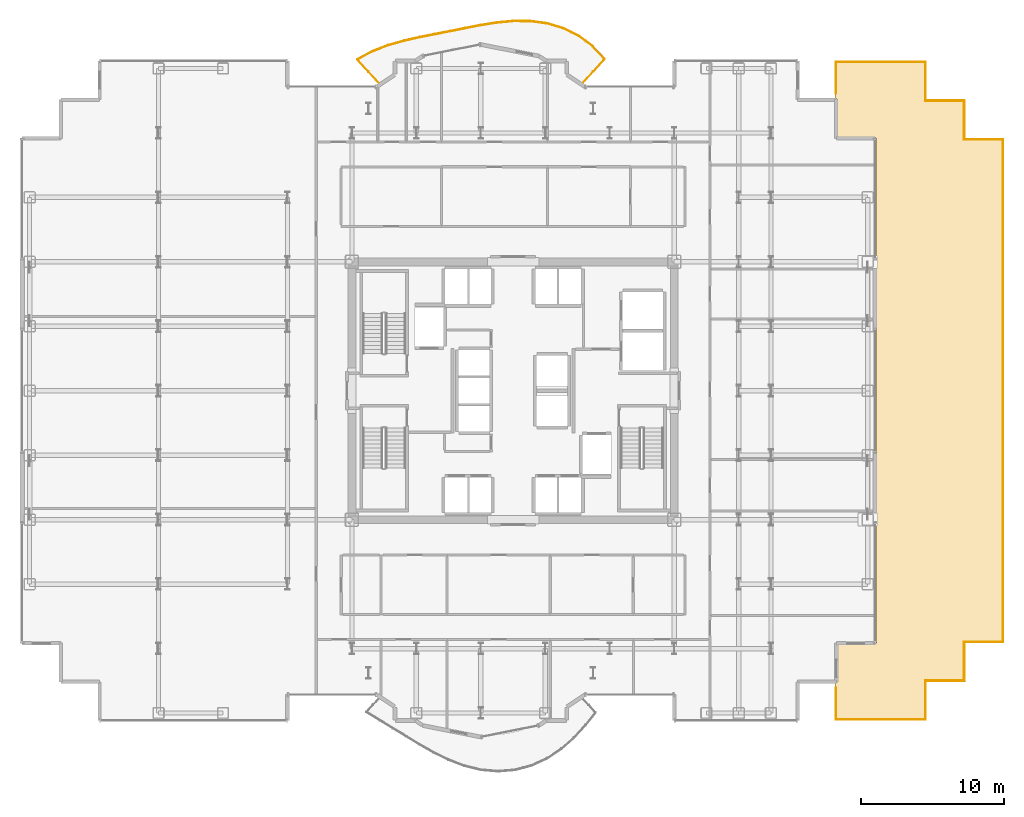
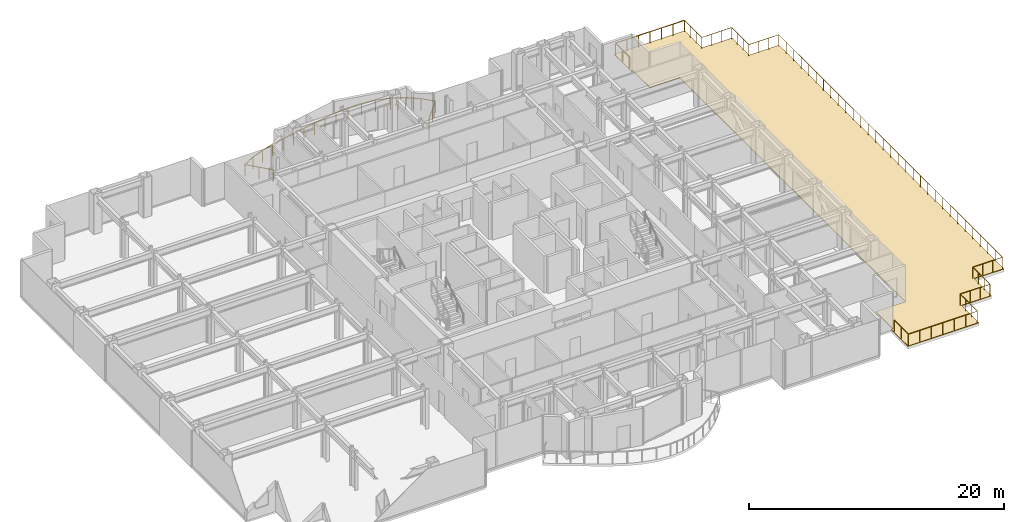
# One storey, part 27 of 27: 3 railings, 1 covering.
"""IFC4 building model written with IfcOpenShell, lengths in metres."""

import ifcopenshell
import ifcopenshell.guid

model = None  # the IFC model being written
_history = None  # IfcOwnerHistory: only IFC2X3 demands one
_inside = {}  # id of a spatial element -> (the spatial element, [elements in it])
_under = {}  # id of a project, library or spatial element -> (it, [spatial elements below it])
_declared = {}  # id of a project -> (the project, [libraries it declares])
_typed = {}  # id of a type object -> (the type object, [elements of that type])
_made_of = {}  # id of a material, layer set ... -> (it, [elements and type objects made of it])


def new_model(schema):
    """Start an empty IFC model of exactly this schema.

    Asked for "IFC4X3", IfcOpenShell would pick the latest addendum, in which some entities
    have other attributes; the version numbers below select the first issue.
    IFC2X3 requires an IfcOwnerHistory on every rooted entity: one is made here for all.
    """
    global model, _history
    if schema == "IFC4X3":
        model = ifcopenshell.file(schema_version=(4, 3, 0, 0))
    else:
        model = ifcopenshell.file(schema=schema)
    _inside.clear()
    _under.clear()
    _declared.clear()
    _typed.clear()
    _made_of.clear()
    _history = None
    if model.schema == "IFC2X3":
        org = make("IfcOrganization", Name="unknown")
        user = make(
            "IfcPersonAndOrganization",
            ThePerson=make("IfcPerson", FamilyName="unknown"),
            TheOrganization=org,
        )
        app = make(
            "IfcApplication",
            ApplicationDeveloper=org,
            Version="unknown",
            ApplicationFullName="unknown",
            ApplicationIdentifier="unknown",
        )
        _history = make(
            "IfcOwnerHistory",
            OwningUser=user,
            OwningApplication=app,
            ChangeAction="ADDED",
            CreationDate=0,
        )
    return model


def make(cls, **values):
    """One entity of the class cls with the attributes given. An attribute that is None is left unset."""
    return model.create_entity(
        cls, **{name: value for name, value in values.items() if value is not None}
    )


def rooted(cls, **values):
    """An entity with a GlobalId (a new one), such as an element, a storey or a relation."""
    return make(cls, GlobalId=ifcopenshell.guid.new(), OwnerHistory=_history, **values)


def si_unit(unit_type, name, prefix=None):
    """IfcSIUnit, for example si_unit("LENGTHUNIT", "METRE", prefix="MILLI")."""
    return make("IfcSIUnit", UnitType=unit_type, Prefix=prefix, Name=name)


def assignment(units):
    """IfcUnitAssignment: the units of a project."""
    return None if units is None else make("IfcUnitAssignment", Units=units)


def point(xyz):
    """IfcCartesianPoint."""
    return None if xyz is None else make("IfcCartesianPoint", Coordinates=xyz)


def direction(xyz):
    """IfcDirection."""
    return None if xyz is None else make("IfcDirection", DirectionRatios=xyz)


def frame(location, z_axis=None, x_axis=None):
    """IfcAxis2Placement3D, a coordinate frame: its origin and axes. An axis left out is left unset."""
    return make(
        "IfcAxis2Placement3D",
        Location=point(location),
        Axis=direction(z_axis),
        RefDirection=direction(x_axis),
    )


def frame_2d(location, x_axis=None):
    """IfcAxis2Placement2D, a coordinate frame in the plane: its origin and x axis."""
    return make(
        "IfcAxis2Placement2D", Location=point(location), RefDirection=direction(x_axis)
    )


def origin():
    """The frame at (0, 0, 0) with its axes left unset."""
    return frame((0.0, 0.0, 0.0))


def origin_2d():
    """The frame at (0, 0) in the plane with its x axis left unset."""
    return frame_2d((0.0, 0.0))


def place(relative_to, where):
    """IfcLocalPlacement: puts the frame where relative to a parent placement (None: the world)."""
    return make(
        "IfcLocalPlacement", PlacementRelTo=relative_to, RelativePlacement=where
    )


def context(
    kind, dimensions, precision=None, world=None, true_north=None, identifier=None
):
    """IfcGeometricRepresentationContext, for example the 3D "Model" context."""
    return make(
        "IfcGeometricRepresentationContext",
        ContextIdentifier=identifier,
        ContextType=kind,
        CoordinateSpaceDimension=dimensions,
        Precision=precision,
        WorldCoordinateSystem=world,
        TrueNorth=true_north,
    )


def subcontext(parent, identifier, kind, view, scale=None):
    """IfcGeometricRepresentationSubContext, for example "Body" below "Model"."""
    return make(
        "IfcGeometricRepresentationSubContext",
        ContextIdentifier=identifier,
        ContextType=kind,
        ParentContext=parent,
        TargetScale=scale,
        TargetView=view,
    )


def project(units=None, contexts=None):
    """IfcProject with its units and contexts."""
    return rooted(
        "IfcProject",
        Name="project",
        RepresentationContexts=contexts,
        UnitsInContext=assignment(units),
    )


def spatial(cls, under=None, at=None, **own):
    """A site, building, storey or space (cls), placed at a placement, below another one or the project."""
    s = rooted(cls, ObjectPlacement=at, **own)
    if under is not None:
        _under.setdefault(under.id(), (under, []))[1].append(s)
    return s


def polyline(points):
    """IfcPolyline through the points."""
    return make("IfcPolyline", Points=[point(p) for p in points])


def profile(cls, at=None, kind="AREA", **sizes):
    """A parametric profile (cls). Its sizes go by their IFC names, for example OverallWidth=200.0."""
    return make(cls, ProfileType=kind, Position=at, **sizes)


def circle(**sizes):
    """IfcCircleProfileDef."""
    return profile("IfcCircleProfileDef", **sizes)


def outline(outer, holes=None, kind="AREA"):
    """IfcArbitraryClosedProfileDef: a profile drawn as a closed curve; with holes, ...WithVoids."""
    if holes is None:
        return make("IfcArbitraryClosedProfileDef", ProfileType=kind, OuterCurve=outer)
    return make(
        "IfcArbitraryProfileDefWithVoids",
        ProfileType=kind,
        OuterCurve=outer,
        InnerCurves=holes,
    )


def extrude(swept, where, along, depth):
    """IfcExtrudedAreaSolid: the profile swept, set in the frame where, extruded along a direction by depth."""
    return make(
        "IfcExtrudedAreaSolid",
        SweptArea=swept,
        Position=where,
        ExtrudedDirection=direction(along),
        Depth=depth,
    )


def shape(context_of_items, identifier, shape_type, items):
    """IfcShapeRepresentation: the items that make up one representation, for example the "Body"."""
    return make(
        "IfcShapeRepresentation",
        ContextOfItems=context_of_items,
        RepresentationIdentifier=identifier,
        RepresentationType=shape_type,
        Items=items,
    )


def material(Name=None, Category=None):
    """IfcMaterial."""
    return make("IfcMaterial", Name=Name, Category=Category)


def layer(
    of_material, thickness, ventilated=None, Name=None, Category=None, Priority=None
):
    """IfcMaterialLayer: one layer of a wall or slab, of a material (None: an air gap)."""
    return make(
        "IfcMaterialLayer",
        Material=of_material,
        LayerThickness=thickness,
        IsVentilated=ventilated,
        Name=Name,
        Category=Category,
        Priority=Priority,
    )


def layer_set(layers, Name=None):
    """IfcMaterialLayerSet."""
    return make("IfcMaterialLayerSet", MaterialLayers=layers, LayerSetName=Name)


def made_of(thing, what):
    """Note that an element or type object is made of a material, layer set ...; save() writes the relation."""
    if what is not None:
        _made_of.setdefault(what.id(), (what, []))[1].append(thing)
    return thing


def type_object(cls, material=None, **own):
    """A type object (cls), such as IfcWallType, which elements share."""
    return made_of(rooted(cls, **own), material)


def element(
    cls,
    number,
    at=None,
    inside=None,
    cuts=None,
    type_object=None,
    material=None,
    context=None,
    identifier="Body",
    shape_type=None,
    held_by="IfcProductDefinitionShape",
    body=None,
    shapes=None,
    **own,
):
    """One element of the class cls, such as IfcWall. Its Tag is "e" and its number.

    at: its placement. inside: the storey or other place that contains it. cuts: it is an
    opening in that element (IfcRelVoidsElement). A single representation is given by context,
    identifier, shape_type and body (its items); several are given by shapes. held_by: the class
    of the entity that holds the representations. save() writes the other relations.
    """
    e = rooted(cls, Tag="e%d" % number, ObjectPlacement=at, **own)
    if body is not None:
        shapes = [shape(context, identifier, shape_type, body)]
    if shapes is not None:
        e.Representation = make(held_by, Representations=shapes)
    if inside is not None:
        _inside.setdefault(inside.id(), (inside, []))[1].append(e)
    if cuts is not None:
        rooted(
            "IfcRelVoidsElement", RelatingBuildingElement=cuts, RelatedOpeningElement=e
        )
    if type_object is not None:
        _typed.setdefault(type_object.id(), (type_object, []))[1].append(e)
    return made_of(e, material)


def aggregate(whole, parts):
    """IfcRelAggregates: a whole, such as a stair, and the parts it consists of."""
    return rooted("IfcRelAggregates", RelatingObject=whole, RelatedObjects=parts)


def save(model, path):
    """Write the relations noted so far, then the file.

    IfcRelAggregates (storeys below a building ...), IfcRelContainedInSpatialStructure (elements
    in a storey), IfcRelDefinesByType, IfcRelAssociatesMaterial and IfcRelDeclares: one each for
    every whole, place, type object, material and project.
    """
    for whole, parts in _under.values():
        aggregate(whole, parts)
    for where, things in _inside.values():
        rooted(
            "IfcRelContainedInSpatialStructure",
            RelatedElements=things,
            RelatingStructure=where,
        )
    for kind, things in _typed.values():
        rooted("IfcRelDefinesByType", RelatedObjects=things, RelatingType=kind)
    for what, things in _made_of.values():
        rooted("IfcRelAssociatesMaterial", RelatedObjects=things, RelatingMaterial=what)
    for by, libraries in _declared.values():
        rooted("IfcRelDeclares", RelatingContext=by, RelatedDefinitions=libraries)
    model.write(path)


model = new_model("IFC4")

# Units and contexts
model_context = context("Model", 3, precision=1e-05, world=origin(), true_north=direction((0.0, 1.0)))
body_context = subcontext(model_context, "Body", "Model", "MODEL_VIEW")
ifc_project = project(units=[si_unit("LENGTHUNIT", "METRE"), si_unit("AREAUNIT", "SQUARE_METRE"), si_unit("VOLUMEUNIT", "CUBIC_METRE"), si_unit("PLANEANGLEUNIT", "RADIAN"), si_unit("MASSUNIT", "GRAM", prefix="KILO")], contexts=[model_context])

# Site, building, storey
site_placement = place(None, origin())
site = spatial("IfcSite", under=ifc_project, at=site_placement, CompositionType="ELEMENT")
building_placement = place(site_placement, origin())
building = spatial("IfcBuilding", under=site, at=building_placement, Name="Nefas-Gora Pilgrimage Tower", CompositionType="ELEMENT")
storey_placement = place(building_placement, frame((0.0, 0.0, 148.800048828125)))
storey = spatial("IfcBuildingStorey", under=building, at=storey_placement, Name="L36", CompositionType="ELEMENT", Elevation=148.800048828125)

# Covering
ifc_material_1 = material(Name="Elastomeric waterproof insulated roof membrane")
ifc_layer = layer(ifc_material_1, 0.06005859375)
ifc_layer_set = layer_set([ifc_layer], Name="Elastomeric waterproof insulated roof membrane")
covering_type = type_object("IfcCoveringType", Name="COV-ROOF-MEMB", PredefinedType="ROOFING", material=ifc_layer_set)
covering_placement = place(storey_placement, origin())
element("IfcCovering", 1, at=covering_placement, inside=storey, type_object=covering_type, Name="L36 Setback Terrace Waterproofing Membrane 1", PredefinedType="ROOFING", context=body_context, shape_type="SweptSolid", body=[
    extrude(outline(polyline([(28.8701171875, 23.02001953125), (22.469970703125, 23.02001953125), (22.469970703125, 20.3701171875), (22.570068359375, 20.3701171875), (22.574951171875, 20.369873046875), (22.579833984375, 20.368896484375), (22.58447265625, 20.367919921875), (22.589111328125, 20.3662109375), (22.593505859375, 20.364013671875), (22.597900390625, 20.361572265625), (22.601806640625, 20.358642578125), (22.60546875, 20.35546875), (22.608642578125, 20.351806640625), (22.611572265625, 20.347900390625), (22.614013671875, 20.343505859375), (22.6162109375, 20.339111328125), (22.617919921875, 20.33447265625), (22.618896484375, 20.329833984375), (22.619873046875, 20.324951171875), (22.6201171875, 20.320068359375), (22.6201171875, 17.669921875), (25.27001953125, 17.669921875), (25.27490234375, 17.669921875), (25.27978515625, 17.6689453125), (25.284423828125, 17.667724609375), (25.2890625, 17.666259765625), (25.293701171875, 17.6640625), (25.2978515625, 17.66162109375), (25.3017578125, 17.65869140625), (25.305419921875, 17.655517578125), (25.30859375, 17.651611328125), (25.3115234375, 17.647705078125), (25.314208984375, 17.6435546875), (25.316162109375, 17.63916015625), (25.31787109375, 17.634521484375), (25.319091796875, 17.6298828125), (25.31982421875, 17.625), (25.320068359375, 17.6201171875), (25.320068359375, -17.6201171875), (25.31982421875, -17.625), (25.319091796875, -17.6298828125), (25.31787109375, -17.634521484375), (25.316162109375, -17.63916015625), (25.314208984375, -17.6435546875), (25.3115234375, -17.647705078125), (25.30859375, -17.651611328125), (25.305419921875, -17.655517578125), (25.3017578125, -17.65869140625), (25.2978515625, -17.66162109375), (25.293701171875, -17.6640625), (25.2890625, -17.666259765625), (25.284423828125, -17.667724609375), (25.27978515625, -17.6689453125), (25.27490234375, -17.669921875), (25.27001953125, -17.669921875), (22.6201171875, -17.669921875), (22.6201171875, -20.320068359375), (22.619873046875, -20.324951171875), (22.618896484375, -20.329833984375), (22.617919921875, -20.33447265625), (22.6162109375, -20.339111328125), (22.614013671875, -20.343505859375), (22.611572265625, -20.347900390625), (22.608642578125, -20.351806640625), (22.60546875, -20.35546875), (22.601806640625, -20.358642578125), (22.597900390625, -20.361572265625), (22.593505859375, -20.364013671875), (22.589111328125, -20.3662109375), (22.58447265625, -20.367919921875), (22.579833984375, -20.368896484375), (22.574951171875, -20.369873046875), (22.570068359375, -20.3701171875), (22.469970703125, -20.3701171875), (22.469970703125, -23.02001953125), (28.8701171875, -23.02001953125), (28.8701171875, -20.320068359375), (31.570068359375, -20.320068359375), (31.570068359375, -17.6201171875), (34.27001953125, -17.6201171875), (34.27001953125, 17.6201171875), (31.570068359375, 17.6201171875), (31.570068359375, 20.320068359375), (28.8701171875, 20.320068359375), (28.8701171875, 23.02001953125)])), origin(), (0.0, 0.0, 1.0), 0.06005859375),
])

# Railings
ifc_material_2 = material(Name="Laminated safety glass and stainless steel", Category="steel")
railing_type_1 = type_object("IfcRailingType", Name="RLG-BAL-1100", PredefinedType="BALUSTRADE", material=ifc_material_2)
railing_1_placement = place(storey_placement, frame((4.802490234375, 21.402587890625, 0.0)))
element("IfcRailing", 2, at=railing_1_placement, inside=storey, type_object=railing_type_1, Name="L36 Wave Balcony Balustrade N1", PredefinedType="BALUSTRADE", context=body_context, shape_type="SweptSolid", body=[
    extrude(circle(Radius=0.02392578125, at=origin_2d()), frame((0.0, 0.0, 1.09619140625), z_axis=(0.669135077133, 0.74314079995, 0.0), x_axis=(-0.74314079995, 0.669135077133, 0.0)), (0.0, 0.0, 1.0), 2.375244140625),
    extrude(circle(Radius=0.02392578125, at=origin_2d()), frame((1.58935546875, 1.76513671875, 1.09619140625), z_axis=(-0.68750179514, 0.726182677898, 0.0), x_axis=(-0.726182677898, -0.68750179514, 0.0)), (0.0, 0.0, 1.0), 1.19921875),
    extrude(circle(Radius=0.02392578125, at=origin_2d()), frame((0.764892578125, 2.635986328125, 1.09619140625), z_axis=(-0.801437477804, 0.59807856438, 0.0), x_axis=(-0.59807856438, -0.801437477804, 0.0)), (0.0, 0.0, 1.0), 1.200439453125),
    extrude(circle(Radius=0.02392578125, at=origin_2d()), frame((-0.197265625, 3.35400390625, 1.09619140625), z_axis=(-0.89467105907, 0.44672552654, 0.0), x_axis=(-0.44672552654, -0.89467105907, 0.0)), (0.0, 0.0, 1.0), 1.20068359375),
    extrude(circle(Radius=0.02392578125, at=origin_2d()), frame((-1.271484375, 3.890380859375, 1.09619140625), z_axis=(-0.958038938913, 0.286638084571, 0.0), x_axis=(-0.286638084571, -0.958038938913, 0.0)), (0.0, 0.0, 1.0), 1.19921875),
    extrude(circle(Radius=0.02392578125, at=origin_2d()), frame((-2.42041015625, 4.234130859375, 1.09619140625), z_axis=(-0.990887292095, 0.134693631496, 0.0), x_axis=(-0.134693631496, -0.990887292095, 0.0)), (0.0, 0.0, 1.0), 1.194580078125),
    extrude(circle(Radius=0.02392578125, at=origin_2d()), frame((-3.60400390625, 4.39501953125, 1.09619140625), z_axis=(-0.999987695818, 0.004960666536, 0.0), x_axis=(-0.004960666536, -0.999987695818, 0.0)), (0.0, 0.0, 1.0), 1.18115234375),
    extrude(circle(Radius=0.02392578125, at=origin_2d()), frame((-4.78515625, 4.40087890625, 1.09619140625), z_axis=(-0.995572807418, -0.093993537703, 0.0), x_axis=(0.093993537703, -0.995572807418, 0.0)), (0.0, 0.0, 1.0), 1.158447265625),
    extrude(circle(Radius=0.02392578125, at=origin_2d()), frame((-5.9384765625, 4.2919921875, 1.09619140625), z_axis=(-0.98740955461, -0.15818461197, 0.0), x_axis=(0.15818461197, -0.98740955461, 0.0)), (0.0, 0.0, 1.0), 1.128173828125),
    extrude(circle(Radius=0.02392578125, at=origin_2d()), frame((-7.052490234375, 4.113525390625, 1.09619140625), z_axis=(-0.981742387209, -0.190215365199, 0.0), x_axis=(0.190215365199, -0.981742387209, 0.0)), (0.0, 0.0, 1.0), 1.0986328125),
    extrude(circle(Radius=0.02392578125, at=origin_2d()), frame((-8.131103515625, 3.904541015625, 1.09619140625), z_axis=(-0.980414901531, -0.196943191949, 0.0), x_axis=(0.196943191949, -0.980414901531, 0.0)), (0.0, 0.0, 1.0), 1.07861328125),
    extrude(circle(Radius=0.02392578125, at=origin_2d()), frame((-9.1884765625, 3.692138671875, 1.09619140625), z_axis=(-0.981315429712, -0.192405892346, 0.0), x_axis=(0.192405892346, -0.981315429712, 0.0)), (0.0, 0.0, 1.0), 1.075927734375),
    extrude(circle(Radius=0.02392578125, at=origin_2d()), frame((-10.244384765625, 3.485107421875, 1.09619140625), z_axis=(-0.980846406589, -0.194782767929, 0.0), x_axis=(0.194782767929, -0.980846406589, 0.0)), (0.0, 0.0, 1.0), 1.091796875),
    extrude(circle(Radius=0.02392578125, at=origin_2d()), frame((-11.315185546875, 3.2724609375, 1.09619140625), z_axis=(-0.975857703496, -0.218407285884, 0.0), x_axis=(0.218407285884, -0.975857703496, 0.0)), (0.0, 0.0, 1.0), 1.1201171875),
    extrude(circle(Radius=0.02392578125, at=origin_2d()), frame((-12.408203125, 3.02783203125, 1.09619140625), z_axis=(-0.962066425729, -0.272815308377, 0.0), x_axis=(0.272815308377, -0.962066425729, 0.0)), (0.0, 0.0, 1.0), 1.15087890625),
    extrude(circle(Radius=0.02392578125, at=origin_2d()), frame((-13.515380859375, 2.7138671875, 1.09619140625), z_axis=(-0.933666294474, -0.358144175665, 0.0), x_axis=(0.358144175665, -0.933666294474, 0.0)), (0.0, 0.0, 1.0), 1.17578125),
    extrude(circle(Radius=0.02392578125, at=origin_2d()), frame((-14.61328125, 2.292724609375, 1.09619140625), z_axis=(-0.883049407943, -0.469280026351, 0.0), x_axis=(0.469280026351, -0.883049407943, 0.0)), (0.0, 0.0, 1.0), 1.19189453125),
    extrude(circle(Radius=0.02392578125, at=origin_2d()), frame((-15.665771484375, 1.7333984375, 1.09619140625), z_axis=(0.669138195153, -0.743137992427, 0.0), x_axis=(0.743137992427, 0.669138195153, 0.0)), (0.0, 0.0, 1.0), 2.33251953125),
    extrude(circle(Radius=0.02099609375, at=origin_2d()), origin(), (0.0, 0.0, 1.0), 1.072021484375),
    extrude(circle(Radius=0.02099609375, at=origin_2d()), frame((0.794677734375, 0.882568359375, 0.0)), (0.0, 0.0, 1.0), 1.072021484375),
    extrude(circle(Radius=0.02099609375, at=origin_2d()), frame((1.58935546875, 1.76513671875, 0.0)), (0.0, 0.0, 1.0), 1.072021484375),
    extrude(circle(Radius=0.02099609375, at=origin_2d()), frame((0.764892578125, 2.635986328125, 0.0)), (0.0, 0.0, 1.0), 1.072021484375),
    extrude(circle(Radius=0.02099609375, at=origin_2d()), frame((0.28369140625, 2.9951171875, 0.0)), (0.0, 0.0, 1.0), 1.072021484375),
    extrude(circle(Radius=0.02099609375, at=origin_2d()), frame((-0.197265625, 3.35400390625, 0.0)), (0.0, 0.0, 1.0), 1.072021484375),
    extrude(circle(Radius=0.02099609375, at=origin_2d()), frame((-0.734375, 3.6220703125, 0.0)), (0.0, 0.0, 1.0), 1.072021484375),
    extrude(circle(Radius=0.02099609375, at=origin_2d()), frame((-1.271484375, 3.890380859375, 0.0)), (0.0, 0.0, 1.0), 1.072021484375),
    extrude(circle(Radius=0.02099609375, at=origin_2d()), frame((-2.42041015625, 4.234130859375, 0.0)), (0.0, 0.0, 1.0), 1.072021484375),
    extrude(circle(Radius=0.02099609375, at=origin_2d()), frame((-3.60400390625, 4.39501953125, 0.0)), (0.0, 0.0, 1.0), 1.072021484375),
    extrude(circle(Radius=0.02099609375, at=origin_2d()), frame((-4.78515625, 4.40087890625, 0.0)), (0.0, 0.0, 1.0), 1.072021484375),
    extrude(circle(Radius=0.02099609375, at=origin_2d()), frame((-5.9384765625, 4.2919921875, 0.0)), (0.0, 0.0, 1.0), 1.072021484375),
    extrude(circle(Radius=0.02099609375, at=origin_2d()), frame((-7.052490234375, 4.113525390625, 0.0)), (0.0, 0.0, 1.0), 1.072021484375),
    extrude(circle(Radius=0.02099609375, at=origin_2d()), frame((-8.131103515625, 3.904541015625, 0.0)), (0.0, 0.0, 1.0), 1.072021484375),
    extrude(circle(Radius=0.02099609375, at=origin_2d()), frame((-9.1884765625, 3.692138671875, 0.0)), (0.0, 0.0, 1.0), 1.072021484375),
    extrude(circle(Radius=0.02099609375, at=origin_2d()), frame((-10.244384765625, 3.485107421875, 0.0)), (0.0, 0.0, 1.0), 1.072021484375),
    extrude(circle(Radius=0.02099609375, at=origin_2d()), frame((-11.315185546875, 3.2724609375, 0.0)), (0.0, 0.0, 1.0), 1.072021484375),
    extrude(circle(Radius=0.02099609375, at=origin_2d()), frame((-12.408203125, 3.02783203125, 0.0)), (0.0, 0.0, 1.0), 1.072021484375),
    extrude(circle(Radius=0.02099609375, at=origin_2d()), frame((-13.515380859375, 2.7138671875, 0.0)), (0.0, 0.0, 1.0), 1.072021484375),
    extrude(circle(Radius=0.02099609375, at=origin_2d()), frame((-14.61328125, 2.292724609375, 0.0)), (0.0, 0.0, 1.0), 1.072021484375),
    extrude(circle(Radius=0.02099609375, at=origin_2d()), frame((-15.665771484375, 1.7333984375, 0.0)), (0.0, 0.0, 1.0), 1.072021484375),
    extrude(circle(Radius=0.02099609375, at=origin_2d()), frame((-14.88525390625, 0.86669921875, 0.0)), (0.0, 0.0, 1.0), 1.072021484375),
    extrude(circle(Radius=0.02099609375, at=origin_2d()), frame((-14.10498046875, 0.0, 0.0)), (0.0, 0.0, 1.0), 1.072021484375),
])
railing_type_2 = type_object("IfcRailingType", Name="RLG-TER-1150", PredefinedType="BALUSTRADE", material=ifc_material_2)
railing_2_placement = place(storey_placement, frame((28.7900390625, 22.93994140625, 0.0)))
element("IfcRailing", 3, at=railing_2_placement, inside=storey, type_object=railing_type_2, Name="L36 Terrace Continuous Balustrade TER-L36-1.1", PredefinedType="BALUSTRADE", context=body_context, shape_type="SweptSolid", body=[
    extrude(circle(Radius=0.02392578125, at=origin_2d()), frame((0.0, 0.0, 1.1259765625), z_axis=(0.0, -1.0, 0.0), x_axis=(1.0, 0.0, 0.0)), (0.0, 0.0, 1.0), 2.699951171875),
    extrude(circle(Radius=0.02392578125, at=origin_2d()), frame((0.0, -2.699951171875, 1.1259765625), z_axis=(1.0, 0.0, 0.0), x_axis=(0.0, 1.0, 0.0)), (0.0, 0.0, 1.0), 2.699951171875),
    extrude(circle(Radius=0.02392578125, at=origin_2d()), frame((2.699951171875, -2.699951171875, 1.1259765625), z_axis=(0.0, -1.0, 0.0), x_axis=(1.0, 0.0, 0.0)), (0.0, 0.0, 1.0), 2.699951171875),
    extrude(circle(Radius=0.02392578125, at=origin_2d()), frame((2.699951171875, -5.39990234375, 1.1259765625), z_axis=(1.0, 0.0, 0.0), x_axis=(0.0, 1.0, 0.0)), (0.0, 0.0, 1.0), 2.699951171875),
    extrude(circle(Radius=0.02392578125, at=origin_2d()), frame((5.39990234375, -5.39990234375, 1.1259765625), z_axis=(0.0, -1.0, 0.0), x_axis=(1.0, 0.0, 0.0)), (0.0, 0.0, 1.0), 35.080078125),
    extrude(circle(Radius=0.02392578125, at=origin_2d()), frame((5.39990234375, -40.47998046875, 1.1259765625), z_axis=(-1.0, 0.0, 0.0), x_axis=(0.0, -1.0, 0.0)), (0.0, 0.0, 1.0), 2.699951171875),
    extrude(circle(Radius=0.02392578125, at=origin_2d()), frame((2.699951171875, -40.47998046875, 1.1259765625), z_axis=(0.0, -1.0, 0.0), x_axis=(1.0, 0.0, 0.0)), (0.0, 0.0, 1.0), 2.699951171875),
    extrude(circle(Radius=0.02392578125, at=origin_2d()), frame((2.699951171875, -43.179931640625, 1.1259765625), z_axis=(-1.0, 0.0, 0.0), x_axis=(0.0, -1.0, 0.0)), (0.0, 0.0, 1.0), 2.699951171875),
    extrude(circle(Radius=0.02392578125, at=origin_2d()), frame((0.0, -43.179931640625, 1.1259765625), z_axis=(0.0, -1.0, 0.0), x_axis=(1.0, 0.0, 0.0)), (0.0, 0.0, 1.0), 2.699951171875),
    extrude(circle(Radius=0.02392578125, at=origin_2d()), frame((0.0, -45.8798828125, 1.1259765625), z_axis=(-1.0, 0.0, 0.0), x_axis=(0.0, -1.0, 0.0)), (0.0, 0.0, 1.0), 6.239990234375),
    extrude(circle(Radius=0.02392578125, at=origin_2d()), frame((-6.239990234375, -45.8798828125, 1.1259765625), z_axis=(0.0, 1.0, 0.0), x_axis=(-1.0, 0.0, 0.0)), (0.0, 0.0, 1.0), 2.199951171875),
    extrude(circle(Radius=0.02099609375, at=origin_2d()), origin(), (0.0, 0.0, 1.0), 1.101806640625),
    extrude(circle(Radius=0.02099609375, at=origin_2d()), frame((0.0, -0.89990234375, 0.0)), (0.0, 0.0, 1.0), 1.101806640625),
    extrude(circle(Radius=0.02099609375, at=origin_2d()), frame((0.0, -1.800048828125, 0.0)), (0.0, 0.0, 1.0), 1.101806640625),
    extrude(circle(Radius=0.02099609375, at=origin_2d()), frame((0.0, -2.699951171875, 0.0)), (0.0, 0.0, 1.0), 1.101806640625),
    extrude(circle(Radius=0.02099609375, at=origin_2d()), frame((0.89990234375, -2.699951171875, 0.0)), (0.0, 0.0, 1.0), 1.101806640625),
    extrude(circle(Radius=0.02099609375, at=origin_2d()), frame((1.800048828125, -2.699951171875, 0.0)), (0.0, 0.0, 1.0), 1.101806640625),
    extrude(circle(Radius=0.02099609375, at=origin_2d()), frame((2.699951171875, -2.699951171875, 0.0)), (0.0, 0.0, 1.0), 1.101806640625),
    extrude(circle(Radius=0.02099609375, at=origin_2d()), frame((2.699951171875, -3.599853515625, 0.0)), (0.0, 0.0, 1.0), 1.101806640625),
    extrude(circle(Radius=0.02099609375, at=origin_2d()), frame((2.699951171875, -4.5, 0.0)), (0.0, 0.0, 1.0), 1.101806640625),
    extrude(circle(Radius=0.02099609375, at=origin_2d()), frame((2.699951171875, -5.39990234375, 0.0)), (0.0, 0.0, 1.0), 1.101806640625),
    extrude(circle(Radius=0.02099609375, at=origin_2d()), frame((3.599853515625, -5.39990234375, 0.0)), (0.0, 0.0, 1.0), 1.101806640625),
    extrude(circle(Radius=0.02099609375, at=origin_2d()), frame((4.5, -5.39990234375, 0.0)), (0.0, 0.0, 1.0), 1.101806640625),
    extrude(circle(Radius=0.02099609375, at=origin_2d()), frame((5.39990234375, -5.39990234375, 0.0)), (0.0, 0.0, 1.0), 1.101806640625),
    extrude(circle(Radius=0.02099609375, at=origin_2d()), frame((5.39990234375, -6.5693359375, 0.0)), (0.0, 0.0, 1.0), 1.101806640625),
    extrude(circle(Radius=0.02099609375, at=origin_2d()), frame((5.39990234375, -7.738525390625, 0.0)), (0.0, 0.0, 1.0), 1.101806640625),
    extrude(circle(Radius=0.02099609375, at=origin_2d()), frame((5.39990234375, -8.907958984375, 0.0)), (0.0, 0.0, 1.0), 1.101806640625),
    extrude(circle(Radius=0.02099609375, at=origin_2d()), frame((5.39990234375, -10.0771484375, 0.0)), (0.0, 0.0, 1.0), 1.101806640625),
    extrude(circle(Radius=0.02099609375, at=origin_2d()), frame((5.39990234375, -11.24658203125, 0.0)), (0.0, 0.0, 1.0), 1.101806640625),
    extrude(circle(Radius=0.02099609375, at=origin_2d()), frame((5.39990234375, -12.416015625, 0.0)), (0.0, 0.0, 1.0), 1.101806640625),
    extrude(circle(Radius=0.02099609375, at=origin_2d()), frame((5.39990234375, -13.585205078125, 0.0)), (0.0, 0.0, 1.0), 1.101806640625),
    extrude(circle(Radius=0.02099609375, at=origin_2d()), frame((5.39990234375, -14.754638671875, 0.0)), (0.0, 0.0, 1.0), 1.101806640625),
    extrude(circle(Radius=0.02099609375, at=origin_2d()), frame((5.39990234375, -15.923828125, 0.0)), (0.0, 0.0, 1.0), 1.101806640625),
    extrude(circle(Radius=0.02099609375, at=origin_2d()), frame((5.39990234375, -17.09326171875, 0.0)), (0.0, 0.0, 1.0), 1.101806640625),
    extrude(circle(Radius=0.02099609375, at=origin_2d()), frame((5.39990234375, -18.2626953125, 0.0)), (0.0, 0.0, 1.0), 1.101806640625),
    extrude(circle(Radius=0.02099609375, at=origin_2d()), frame((5.39990234375, -19.431884765625, 0.0)), (0.0, 0.0, 1.0), 1.101806640625),
    extrude(circle(Radius=0.02099609375, at=origin_2d()), frame((5.39990234375, -20.601318359375, 0.0)), (0.0, 0.0, 1.0), 1.101806640625),
    extrude(circle(Radius=0.02099609375, at=origin_2d()), frame((5.39990234375, -21.7705078125, 0.0)), (0.0, 0.0, 1.0), 1.101806640625),
    extrude(circle(Radius=0.02099609375, at=origin_2d()), frame((5.39990234375, -22.93994140625, 0.0)), (0.0, 0.0, 1.0), 1.101806640625),
    extrude(circle(Radius=0.02099609375, at=origin_2d()), frame((5.39990234375, -24.109375, 0.0)), (0.0, 0.0, 1.0), 1.101806640625),
    extrude(circle(Radius=0.02099609375, at=origin_2d()), frame((5.39990234375, -25.278564453125, 0.0)), (0.0, 0.0, 1.0), 1.101806640625),
    extrude(circle(Radius=0.02099609375, at=origin_2d()), frame((5.39990234375, -26.447998046875, 0.0)), (0.0, 0.0, 1.0), 1.101806640625),
    extrude(circle(Radius=0.02099609375, at=origin_2d()), frame((5.39990234375, -27.6171875, 0.0)), (0.0, 0.0, 1.0), 1.101806640625),
    extrude(circle(Radius=0.02099609375, at=origin_2d()), frame((5.39990234375, -28.78662109375, 0.0)), (0.0, 0.0, 1.0), 1.101806640625),
    extrude(circle(Radius=0.02099609375, at=origin_2d()), frame((5.39990234375, -29.9560546875, 0.0)), (0.0, 0.0, 1.0), 1.101806640625),
    extrude(circle(Radius=0.02099609375, at=origin_2d()), frame((5.39990234375, -31.125244140625, 0.0)), (0.0, 0.0, 1.0), 1.101806640625),
    extrude(circle(Radius=0.02099609375, at=origin_2d()), frame((5.39990234375, -32.294677734375, 0.0)), (0.0, 0.0, 1.0), 1.101806640625),
    extrude(circle(Radius=0.02099609375, at=origin_2d()), frame((5.39990234375, -33.4638671875, 0.0)), (0.0, 0.0, 1.0), 1.101806640625),
    extrude(circle(Radius=0.02099609375, at=origin_2d()), frame((5.39990234375, -34.63330078125, 0.0)), (0.0, 0.0, 1.0), 1.101806640625),
    extrude(circle(Radius=0.02099609375, at=origin_2d()), frame((5.39990234375, -35.802734375, 0.0)), (0.0, 0.0, 1.0), 1.101806640625),
    extrude(circle(Radius=0.02099609375, at=origin_2d()), frame((5.39990234375, -36.971923828125, 0.0)), (0.0, 0.0, 1.0), 1.101806640625),
    extrude(circle(Radius=0.02099609375, at=origin_2d()), frame((5.39990234375, -38.141357421875, 0.0)), (0.0, 0.0, 1.0), 1.101806640625),
    extrude(circle(Radius=0.02099609375, at=origin_2d()), frame((5.39990234375, -39.310546875, 0.0)), (0.0, 0.0, 1.0), 1.101806640625),
    extrude(circle(Radius=0.02099609375, at=origin_2d()), frame((5.39990234375, -40.47998046875, 0.0)), (0.0, 0.0, 1.0), 1.101806640625),
    extrude(circle(Radius=0.02099609375, at=origin_2d()), frame((4.5, -40.47998046875, 0.0)), (0.0, 0.0, 1.0), 1.101806640625),
    extrude(circle(Radius=0.02099609375, at=origin_2d()), frame((3.599853515625, -40.47998046875, 0.0)), (0.0, 0.0, 1.0), 1.101806640625),
    extrude(circle(Radius=0.02099609375, at=origin_2d()), frame((2.699951171875, -40.47998046875, 0.0)), (0.0, 0.0, 1.0), 1.101806640625),
    extrude(circle(Radius=0.02099609375, at=origin_2d()), frame((2.699951171875, -41.3798828125, 0.0)), (0.0, 0.0, 1.0), 1.101806640625),
    extrude(circle(Radius=0.02099609375, at=origin_2d()), frame((2.699951171875, -42.280029296875, 0.0)), (0.0, 0.0, 1.0), 1.101806640625),
    extrude(circle(Radius=0.02099609375, at=origin_2d()), frame((2.699951171875, -43.179931640625, 0.0)), (0.0, 0.0, 1.0), 1.101806640625),
    extrude(circle(Radius=0.02099609375, at=origin_2d()), frame((1.800048828125, -43.179931640625, 0.0)), (0.0, 0.0, 1.0), 1.101806640625),
    extrude(circle(Radius=0.02099609375, at=origin_2d()), frame((0.89990234375, -43.179931640625, 0.0)), (0.0, 0.0, 1.0), 1.101806640625),
    extrude(circle(Radius=0.02099609375, at=origin_2d()), frame((0.0, -43.179931640625, 0.0)), (0.0, 0.0, 1.0), 1.101806640625),
    extrude(circle(Radius=0.02099609375, at=origin_2d()), frame((0.0, -44.079833984375, 0.0)), (0.0, 0.0, 1.0), 1.101806640625),
    extrude(circle(Radius=0.02099609375, at=origin_2d()), frame((0.0, -44.97998046875, 0.0)), (0.0, 0.0, 1.0), 1.101806640625),
    extrude(circle(Radius=0.02099609375, at=origin_2d()), frame((0.0, -45.8798828125, 0.0)), (0.0, 0.0, 1.0), 1.101806640625),
    extrude(circle(Radius=0.02099609375, at=origin_2d()), frame((-1.0400390625, -45.8798828125, 0.0)), (0.0, 0.0, 1.0), 1.101806640625),
    extrude(circle(Radius=0.02099609375, at=origin_2d()), frame((-2.080078125, -45.8798828125, 0.0)), (0.0, 0.0, 1.0), 1.101806640625),
    extrude(circle(Radius=0.02099609375, at=origin_2d()), frame((-3.1201171875, -45.8798828125, 0.0)), (0.0, 0.0, 1.0), 1.101806640625),
    extrude(circle(Radius=0.02099609375, at=origin_2d()), frame((-4.159912109375, -45.8798828125, 0.0)), (0.0, 0.0, 1.0), 1.101806640625),
    extrude(circle(Radius=0.02099609375, at=origin_2d()), frame((-5.199951171875, -45.8798828125, 0.0)), (0.0, 0.0, 1.0), 1.101806640625),
    extrude(circle(Radius=0.02099609375, at=origin_2d()), frame((-6.239990234375, -45.8798828125, 0.0)), (0.0, 0.0, 1.0), 1.101806640625),
    extrude(circle(Radius=0.02099609375, at=origin_2d()), frame((-6.239990234375, -44.77978515625, 0.0)), (0.0, 0.0, 1.0), 1.101806640625),
    extrude(circle(Radius=0.02099609375, at=origin_2d()), frame((-6.239990234375, -43.679931640625, 0.0)), (0.0, 0.0, 1.0), 1.101806640625),
])
railing_3_placement = place(storey_placement, frame((22.550048828125, 20.739990234375, 0.0)))
element("IfcRailing", 4, at=railing_3_placement, inside=storey, type_object=railing_type_2, Name="L36 Terrace Continuous Balustrade TER-L36-1.2", PredefinedType="BALUSTRADE", context=body_context, shape_type="SweptSolid", body=[
    extrude(circle(Radius=0.02392578125, at=origin_2d()), frame((0.0, 0.0, 1.1259765625), z_axis=(0.0, 1.0, 0.0), x_axis=(-1.0, 0.0, 0.0)), (0.0, 0.0, 1.0), 2.199951171875),
    extrude(circle(Radius=0.02392578125, at=origin_2d()), frame((0.0, 2.199951171875, 1.1259765625), z_axis=(1.0, 0.0, 0.0), x_axis=(0.0, 1.0, 0.0)), (0.0, 0.0, 1.0), 6.239990234375),
    extrude(circle(Radius=0.02099609375, at=origin_2d()), origin(), (0.0, 0.0, 1.0), 1.101806640625),
    extrude(circle(Radius=0.02099609375, at=origin_2d()), frame((0.0, 1.10009765625, 0.0)), (0.0, 0.0, 1.0), 1.101806640625),
    extrude(circle(Radius=0.02099609375, at=origin_2d()), frame((0.0, 2.199951171875, 0.0)), (0.0, 0.0, 1.0), 1.101806640625),
    extrude(circle(Radius=0.02099609375, at=origin_2d()), frame((1.0400390625, 2.199951171875, 0.0)), (0.0, 0.0, 1.0), 1.101806640625),
    extrude(circle(Radius=0.02099609375, at=origin_2d()), frame((2.080078125, 2.199951171875, 0.0)), (0.0, 0.0, 1.0), 1.101806640625),
    extrude(circle(Radius=0.02099609375, at=origin_2d()), frame((3.1201171875, 2.199951171875, 0.0)), (0.0, 0.0, 1.0), 1.101806640625),
    extrude(circle(Radius=0.02099609375, at=origin_2d()), frame((4.159912109375, 2.199951171875, 0.0)), (0.0, 0.0, 1.0), 1.101806640625),
    extrude(circle(Radius=0.02099609375, at=origin_2d()), frame((5.199951171875, 2.199951171875, 0.0)), (0.0, 0.0, 1.0), 1.101806640625),
    extrude(circle(Radius=0.02099609375, at=origin_2d()), frame((6.239990234375, 2.199951171875, 0.0)), (0.0, 0.0, 1.0), 1.101806640625),
])

save(model, "model.ifc")
